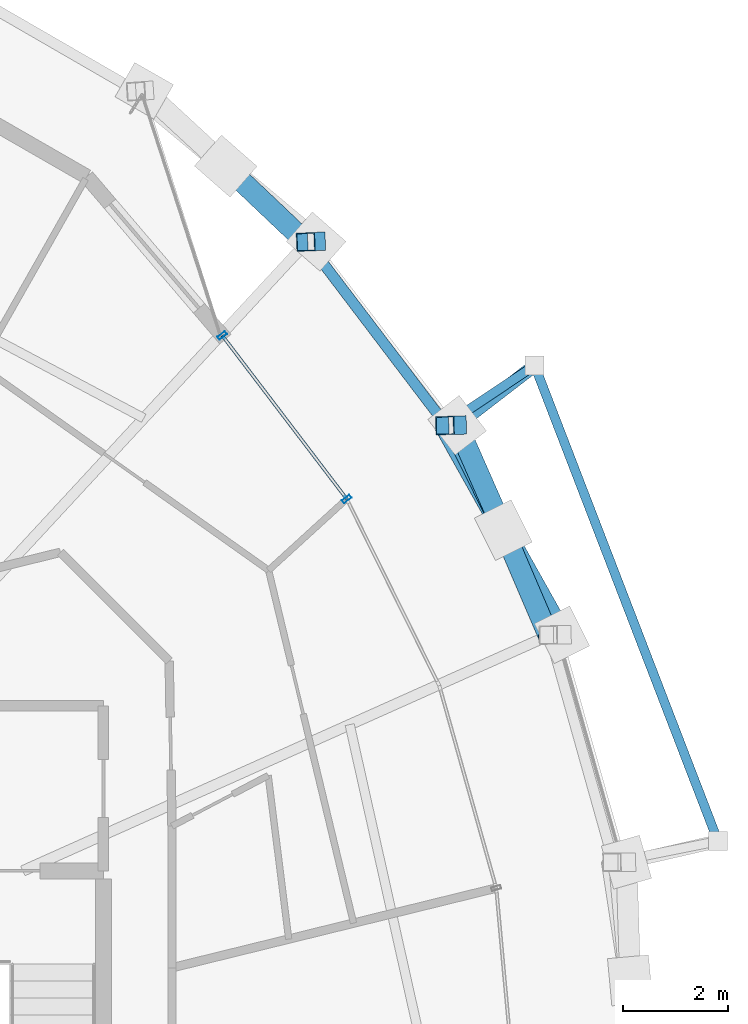
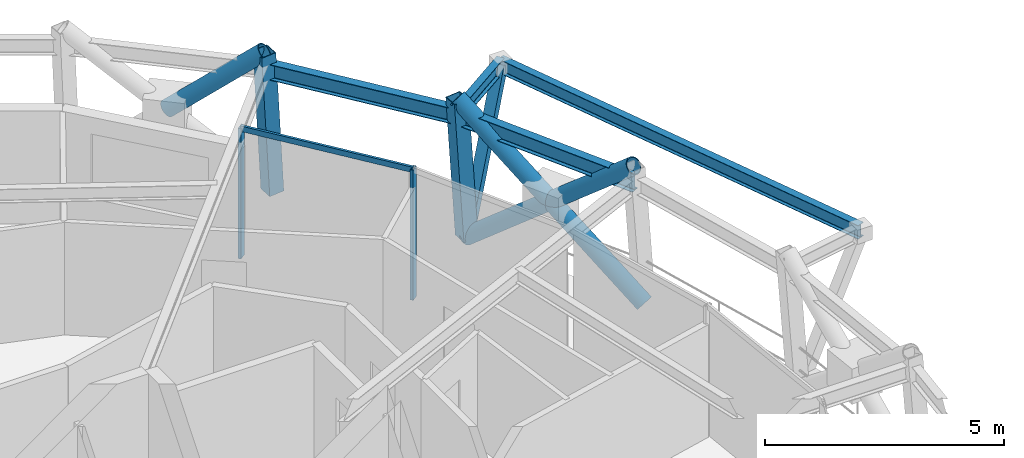
# One storey, part 8 of 15: 10 members, 4 beams, 1 element without a shape of its own.
"""IFC4 building model written with IfcOpenShell, lengths in metres."""

from ifc_helpers import new_model, si_unit, direction, frame, origin, origin_2d, place, context, subcontext, project, spatial, hollow_rectangle, hollow_circle, i_section, extrude, material, layer, layer_set, material_profile, profile_set, type_object, element, aggregate, save


model = new_model("IFC4")

# Units and contexts
model_context = context("Model", 3, precision=1e-05, world=origin(), true_north=direction((0.0, 1.0)))
body_context = subcontext(model_context, "Body", "Model", "MODEL_VIEW")
ifc_project = project(units=[si_unit("LENGTHUNIT", "METRE"), si_unit("AREAUNIT", "SQUARE_METRE"), si_unit("VOLUMEUNIT", "CUBIC_METRE"), si_unit("PLANEANGLEUNIT", "RADIAN"), si_unit("MASSUNIT", "GRAM", prefix="KILO")], contexts=[model_context])

# Site, building, storey
site_placement = place(None, origin())
site = spatial("IfcSite", under=ifc_project, at=site_placement, CompositionType="ELEMENT")
building_placement = place(site_placement, origin())
building = spatial("IfcBuilding", under=site, at=building_placement, Name="Veldorina Hangang Commons", CompositionType="ELEMENT")
storey_placement = place(building_placement, frame((0.0, 0.0, 268.800048828125)))
storey = spatial("IfcBuildingStorey", under=building, at=storey_placement, Name="L70", CompositionType="ELEMENT", Elevation=268.800048828125)

# Beams
ifc_material_1 = material(Name="Steel SM355-TMC", Category="steel")
ifc_material_profile_1 = material_profile(ifc_material_1, i_section(OverallWidth=0.175048828125, OverallDepth=0.35009765625, WebThickness=0.007080078125, FlangeThickness=0.010986328125, FilletRadius=0.012939453125, at=origin_2d()), Name="H-350x175x7x11")
ifc_profile_set_1 = profile_set([ifc_material_profile_1], Name="Steel SM355-TMC")
beam_type_1 = type_object("IfcBeamType", Name="BM-FG350", PredefinedType="BEAM", material=ifc_profile_set_1)
beam_1_placement = place(storey_placement, frame((49.6572265625, 36.769775390625, 3.18505859375), z_axis=(0.83148189355, 0.555551852394, 0.0), x_axis=(-0.555551852394, 0.83148189355, 0.0)))
element("IfcBeam", 1, at=beam_1_placement, inside=storey, type_object=beam_type_1, Name="L71 tree balcony 2 bracket beam B", PredefinedType="BEAM", context=body_context, shape_type="SweptSolid", body=[
    extrude(i_section(OverallWidth=0.175048828125, OverallDepth=0.35009765625, WebThickness=0.007080078125, FlangeThickness=0.010986328125, FilletRadius=0.012939453125, at=origin_2d()), origin(), (0.0, 0.0, 1.0), 2.050048828125),
])
beam_2_placement = place(storey_placement, frame((54.8388671875, 28.884033203125, 3.18505859375), z_axis=(-0.359522020232, 0.933136601451, 0.0), x_axis=(-0.933136601451, -0.359522020232, 0.0)))
element("IfcBeam", 2, at=beam_2_placement, inside=storey, type_object=beam_type_1, Name="L71 tree balcony 2 outer rim beam", PredefinedType="BEAM", context=body_context, shape_type="SweptSolid", body=[
    extrude(i_section(OverallWidth=0.175048828125, OverallDepth=0.35009765625, WebThickness=0.007080078125, FlangeThickness=0.010986328125, FilletRadius=0.012939453125, at=origin_2d()), origin(), (0.0, 0.0, 1.0), 9.67138671875),
])
ifc_material_profile_2 = material_profile(ifc_material_1, i_section(OverallWidth=0.199951171875, OverallDepth=0.39990234375, WebThickness=0.008056640625, FlangeThickness=0.012939453125, FilletRadius=0.012939453125, at=origin_2d()), Name="H-400x200x8x13")
ifc_profile_set_2 = profile_set([ifc_material_profile_2], Name="Steel SM355-TMC")
beam_type_2 = type_object("IfcBeamType", Name="BM-RB400", PredefinedType="BEAM", material=ifc_profile_set_2)
beam_3_placement = place(storey_placement, frame((51.651611328125, 32.79638671875, 3.159912109375), z_axis=(-0.443377021076, 0.896335214739, 0.0), x_axis=(-0.896335214739, -0.443377021076, 0.0)))
element("IfcBeam", 3, at=beam_3_placement, inside=storey, type_object=beam_type_2, Name="L70 perimeter hoop ring beam 02", PredefinedType="BEAM", context=body_context, shape_type="SweptSolid", body=[
    extrude(i_section(OverallWidth=0.199951171875, OverallDepth=0.39990234375, WebThickness=0.008056640625, FlangeThickness=0.012939453125, FilletRadius=0.012939453125, at=origin_2d()), origin(), (0.0, 0.0, 1.0), 4.433837890625),
])
beam_4_placement = place(storey_placement, frame((49.685791015625, 36.7705078125, 3.159912109375), z_axis=(-0.604776116347, 0.796395535583, 0.0), x_axis=(-0.796395535583, -0.604776116347, 0.0)))
element("IfcBeam", 4, at=beam_4_placement, inside=storey, type_object=beam_type_2, Name="L70 perimeter hoop ring beam 03", PredefinedType="BEAM", context=body_context, shape_type="SweptSolid", body=[
    extrude(i_section(OverallWidth=0.199951171875, OverallDepth=0.39990234375, WebThickness=0.008056640625, FlangeThickness=0.012939453125, FilletRadius=0.012939453125, at=origin_2d()), origin(), (0.0, 0.0, 1.0), 4.3740234375),
])

# Curtain wall, members
ifc_material_2 = material(Name="Glass Low-E Selective", Category="glass")
ifc_layer = layer(ifc_material_2, 0.179931640625)
ifc_layer_set = layer_set([ifc_layer], Name="Glass Low-E Selective")
curtain_wall_type = type_object("IfcCurtainWallType", Name="CW-SYS-Z3", PredefinedType="NOTDEFINED", material=ifc_layer_set)
curtain_wall_placement = place(storey_placement, origin())
curtain_wall = element("IfcCurtainWall", 5, at=curtain_wall_placement, inside=storey, type_object=curtain_wall_type, Name="L70 unitised curtain wall CW-L70-R2", PredefinedType="NOTDEFINED")
ifc_material_3 = material(Name="Aluminium Anodized AA6063-T6", Category="aluminium")
ifc_material_profile_3 = material_profile(ifc_material_3, hollow_rectangle(XDim=0.070068359375, YDim=0.179931640625, WallThickness=0.00390625, at=origin_2d()), Name="ALU-RHS-180x70x4")
ifc_profile_set_3 = profile_set([ifc_material_profile_3], Name="Aluminium Anodized AA6063-T6")
member_type_1 = type_object("IfcMemberType", Name="CW-MUL-180", PredefinedType="MULLION", material=ifc_profile_set_3)
member_1_placement = place(storey_placement, frame((47.79541015625, 35.37646484375, 0.0), z_axis=(0.0, 0.0, 1.0), x_axis=(-0.605766238539, 0.795642673721, 0.0)))
member_1 = element("IfcMember", 6, at=member_1_placement, type_object=member_type_1, Name="CW-L70-R2 vertical mullion 3", PredefinedType="MULLION", context=body_context, shape_type="SweptSolid", body=[
    extrude(hollow_rectangle(XDim=0.070068359375, YDim=0.179931640625, WallThickness=0.00390625, at=origin_2d()), origin(), (0.0, 0.0, 1.0), 3.320068359375),
])
member_2_placement = place(storey_placement, frame((45.432861328125, 38.4794921875, 0.0), z_axis=(0.0, 0.0, 1.0), x_axis=(0.605766238539, -0.795642673721, 0.0)))
member_2 = element("IfcMember", 7, at=member_2_placement, type_object=member_type_1, Name="CW-L70-R2 vertical mullion 4", PredefinedType="MULLION", context=body_context, shape_type="SweptSolid", body=[
    extrude(hollow_rectangle(XDim=0.070068359375, YDim=0.179931640625, WallThickness=0.00390625, at=origin_2d()), origin(), (0.0, 0.0, 1.0), 3.320068359375),
])
ifc_material_profile_4 = material_profile(ifc_material_3, hollow_rectangle(XDim=0.06005859375, YDim=0.139892578125, WallThickness=0.00341796875, at=origin_2d()), Name="ALU-RHS-140x60x3.5")
ifc_profile_set_4 = profile_set([ifc_material_profile_4], Name="Aluminium Anodized AA6063-T6")
member_type_2 = type_object("IfcMemberType", Name="CW-TRN-140", PredefinedType="USERDEFINED", material=ifc_profile_set_4)
member_3_placement = place(storey_placement, frame((47.79541015625, 35.37646484375, 3.280029296875), z_axis=(-0.60577347352, 0.795637165283, 0.0), x_axis=(-0.795637165283, -0.60577347352, 0.0)))
member_3 = element("IfcMember", 8, at=member_3_placement, type_object=member_type_2, Name="CW-L70-R2 facet 5 transom 1", ObjectType="TRANSOM", PredefinedType="USERDEFINED", context=body_context, shape_type="SweptSolid", body=[
    extrude(hollow_rectangle(XDim=0.06005859375, YDim=0.139892578125, WallThickness=0.00341796875, at=origin_2d()), origin(), (0.0, 0.0, 1.0), 3.900146484375),
])
aggregate(curtain_wall, [member_1, member_2, member_3])

# Members
ifc_material_profile_5 = material_profile(ifc_material_1, hollow_circle(Radius=0.199951171875, WallThickness=0.02001953125, at=origin_2d()), Name="CHS-400x20")
ifc_profile_set_5 = profile_set([ifc_material_profile_5], Name="Steel SM355-TMC")
member_type_3 = type_object("IfcMemberType", Name="DG-CHS400", PredefinedType="BRACE", material=ifc_profile_set_5)
member_4_placement = place(storey_placement, frame((51.87890625, 32.800537109375, 0.0), z_axis=(-0.382993244646, 0.684253205654, 0.620575317836), x_axis=(-0.872608504149, -0.488420309248, 0.0)))
element("IfcMember", 9, at=member_4_placement, inside=storey, type_object=member_type_3, Name="L70 continuous perimeter diagrid brace 02", PredefinedType="BRACE", context=body_context, shape_type="SweptSolid", body=[
    extrude(hollow_circle(Radius=0.199951171875, WallThickness=0.02001953125, at=origin_2d()), origin(), (0.0, 0.0, 1.0), 5.80078125),
])
member_5_placement = place(storey_placement, frame((49.890625, 36.7763671875, 0.0), z_axis=(0.310199933567, -0.704284432386, 0.638560443117), x_axis=(0.915164183841, 0.403081277927, 0.0)))
element("IfcMember", 10, at=member_5_placement, inside=storey, type_object=member_type_3, Name="L70 split perimeter diagrid lower brace 03", PredefinedType="BRACE", context=body_context, shape_type="SweptSolid", body=[
    extrude(hollow_circle(Radius=0.199951171875, WallThickness=0.02001953125, at=origin_2d()), origin(), (0.0, 0.0, 1.0), 2.8232421875),
])
member_6_placement = place(storey_placement, frame((50.766357421875, 34.7880859375, 1.802734375), z_axis=(0.303150834602, -0.70758318374, 0.638298996998), x_axis=(0.919191635735, 0.393810534134, 0.0)))
element("IfcMember", 11, at=member_6_placement, inside=storey, type_object=member_type_3, Name="L70 split perimeter diagrid upper brace 03", PredefinedType="BRACE", context=body_context, shape_type="SweptSolid", body=[
    extrude(hollow_circle(Radius=0.199951171875, WallThickness=0.02001953125, at=origin_2d()), origin(), (0.0, 0.0, 1.0), 2.8154296875),
])
member_7_placement = place(storey_placement, frame((45.5, 41.691650390625, 1.806884765625), z_axis=(0.550595268557, -0.52249372289, 0.651033916001), x_axis=(0.688353412811, 0.725375474545, 0.0)))
element("IfcMember", 12, at=member_7_placement, inside=storey, type_object=member_type_3, Name="L70 split perimeter diagrid upper brace 05", PredefinedType="BRACE", context=body_context, shape_type="SweptSolid", body=[
    extrude(hollow_circle(Radius=0.199951171875, WallThickness=0.02001953125, at=origin_2d()), origin(), (0.0, 0.0, 1.0), 2.754150390625),
])
ifc_material_profile_6 = material_profile(ifc_material_1, hollow_rectangle(XDim=0.25, YDim=0.25, WallThickness=0.011962890625, at=origin_2d()), Name="SHS-250x250x12")
ifc_profile_set_6 = profile_set([ifc_material_profile_6], Name="Steel SM355-TMC")
member_type_4 = type_object("IfcMemberType", Name="STR-SHS250", PredefinedType="STRUT", material=ifc_profile_set_6)
member_8_placement = place(storey_placement, frame((49.890625, 36.7763671875, 0.0), z_axis=(0.399062490149, 0.307144346052, 0.863951086373), x_axis=(-0.609926819389, 0.792457743346, 0.0)))
element("IfcMember", 13, at=member_8_placement, inside=storey, type_object=member_type_4, Name="L71 tree balcony 2 raking knee strut B", PredefinedType="STRUT", context=body_context, shape_type="SweptSolid", body=[
    extrude(hollow_rectangle(XDim=0.25, YDim=0.25, WallThickness=0.011962890625, at=origin_2d()), origin(), (0.0, 0.0, 1.0), 3.6865234375),
])
ifc_material_profile_7 = material_profile(ifc_material_1, hollow_rectangle(XDim=0.35009765625, YDim=0.35009765625, WallThickness=0.01611328125, at=origin_2d()), Name="SHS-350x350x16")
ifc_profile_set_7 = profile_set([ifc_material_profile_7], Name="Steel SM355-TMC")
member_type_5 = type_object("IfcMemberType", Name="STR-SHS350", PredefinedType="STRUT", material=ifc_profile_set_7)
member_9_placement = place(storey_placement, frame((49.890625, 36.7763671875, 0.0), z_axis=(-0.064699584734, -0.001827289527, 0.997903113909), x_axis=(0.028231420688, -0.999601414008, 0.0)))
element("IfcMember", 14, at=member_9_placement, inside=storey, type_object=member_type_5, Name="L70 perimeter ring node post 03", PredefinedType="STRUT", context=body_context, shape_type="SweptSolid", body=[
    extrude(hollow_rectangle(XDim=0.35009765625, YDim=0.35009765625, WallThickness=0.01611328125, at=origin_2d()), origin(), (0.0, 0.0, 1.0), 3.607421875),
])
member_10_placement = place(storey_placement, frame((47.214599609375, 40.26123046875, 0.0), z_axis=(-0.054986046777, -0.002370088223, 0.998484310013), x_axis=(0.04306346288, -0.999072338805, 0.0)))
element("IfcMember", 15, at=member_10_placement, inside=storey, type_object=member_type_5, Name="L70 perimeter ring node post 04", PredefinedType="STRUT", context=body_context, shape_type="SweptSolid", body=[
    extrude(hollow_rectangle(XDim=0.35009765625, YDim=0.35009765625, WallThickness=0.01611328125, at=origin_2d()), origin(), (0.0, 0.0, 1.0), 3.605224609375),
])

save(model, "model.ifc")
